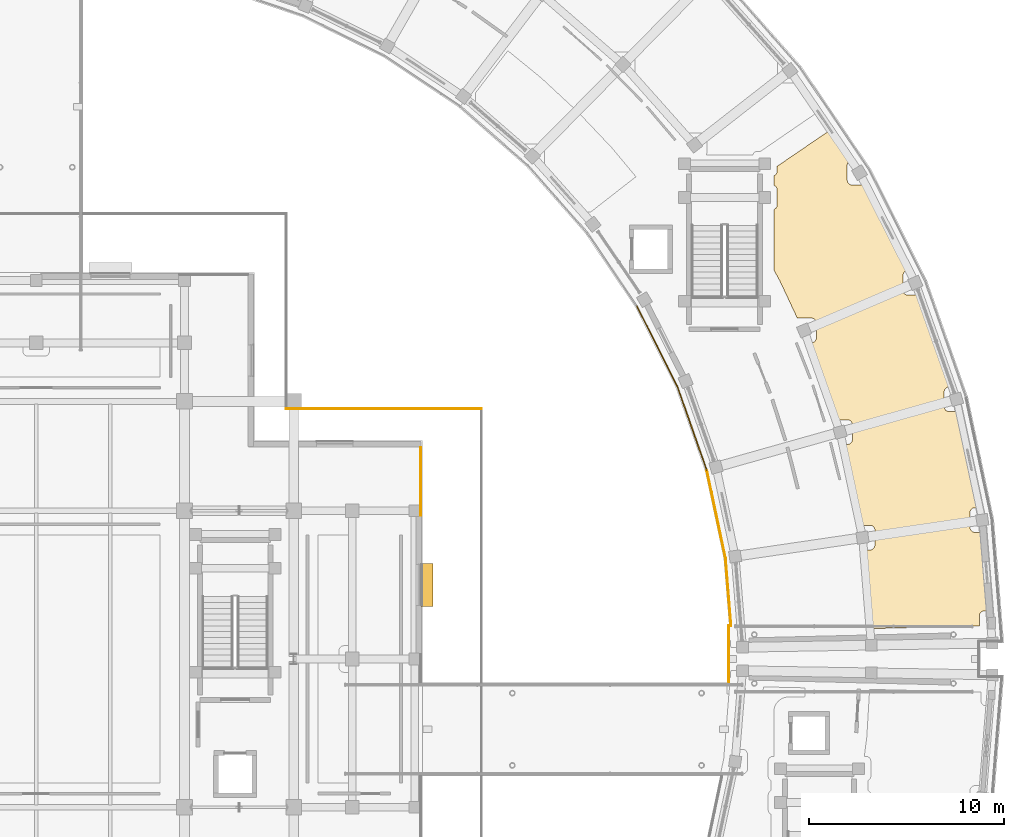
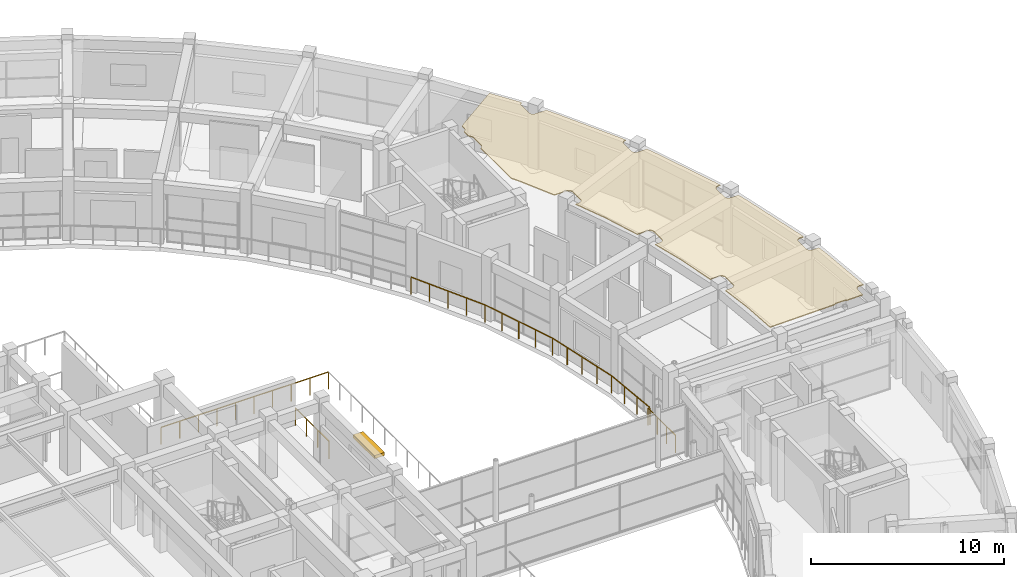
# One storey, part 66 of 72: 7 railings, 1 covering, 1 shading device.
"""IFC4 building model written with IfcOpenShell, lengths in metres."""

from ifc_helpers import new_model, si_unit, direction, frame, origin, origin_2d, place, context, subcontext, project, spatial, polyline, rectangle, outline, extrude, material, layer, layer_set, type_object, element, save


model = new_model("IFC4")

# Units and contexts
model_context = context("Model", 3, precision=1e-05, world=origin(), true_north=direction((0.0, 1.0)))
body_context = subcontext(model_context, "Body", "Model", "MODEL_VIEW")
ifc_project = project(units=[si_unit("LENGTHUNIT", "METRE"), si_unit("AREAUNIT", "SQUARE_METRE"), si_unit("VOLUMEUNIT", "CUBIC_METRE"), si_unit("PLANEANGLEUNIT", "RADIAN"), si_unit("MASSUNIT", "GRAM", prefix="KILO")], contexts=[model_context])

# Site, building, storey
site_placement = place(None, origin())
site = spatial("IfcSite", under=ifc_project, at=site_placement, CompositionType="ELEMENT")
building_placement = place(site_placement, origin())
building = spatial("IfcBuilding", under=site, at=building_placement, Name="Saryqyr Civic Hall", CompositionType="ELEMENT")
storey_placement = place(building_placement, frame((0.0, 0.0, 17.25)))
storey = spatial("IfcBuildingStorey", under=building, at=storey_placement, Name="L04", CompositionType="ELEMENT", Elevation=17.25)

# Railing
ifc_material_1 = material(Name="Stainless steel and laminated glass", Category="steel")
ifc_layer_1 = layer(ifc_material_1, 0.06005859375, Name="Stainless steel and laminated glass")
ifc_layer_set_1 = layer_set([ifc_layer_1], Name="Stainless steel and laminated glass")
railing_type_1 = type_object("IfcRailingType", Name="ENV-RLG-BAL-1100", PredefinedType="BALUSTRADE", material=ifc_layer_set_1)
railing_1_placement = place(storey_placement, frame((79.820068359375, 96.820068359375, 0.0)))
element("IfcRailing", 1, at=railing_1_placement, inside=storey, type_object=railing_type_1, Name="Perimeter safety balustrade V1-STEPG-L04-G05", PredefinedType="BALUSTRADE", context=body_context, shape_type="SweptSolid", body=[
    extrude(rectangle(XDim=0.048095703125, YDim=0.048095703125, at=origin_2d()), frame((0.0, 0.0, 1.076171875), z_axis=(-1.0, 0.0, 0.0), x_axis=(0.0, -1.0, 0.0)), (0.0, 0.0, 1.0), 10.0),
    extrude(rectangle(XDim=0.0419921875, YDim=0.0419921875, at=origin_2d()), origin(), (0.0, 0.0, 1.0), 1.052001953125),
    extrude(rectangle(XDim=0.0419921875, YDim=0.0419921875, at=origin_2d()), frame((-1.111083984375, 0.0, 0.0)), (0.0, 0.0, 1.0), 1.052001953125),
    extrude(rectangle(XDim=0.0419921875, YDim=0.0419921875, at=origin_2d()), frame((-2.22216796875, 0.0, 0.0)), (0.0, 0.0, 1.0), 1.052001953125),
    extrude(rectangle(XDim=0.0419921875, YDim=0.0419921875, at=origin_2d()), frame((-3.333251953125, 0.0, 0.0)), (0.0, 0.0, 1.0), 1.052001953125),
    extrude(rectangle(XDim=0.0419921875, YDim=0.0419921875, at=origin_2d()), frame((-4.4443359375, 0.0, 0.0)), (0.0, 0.0, 1.0), 1.052001953125),
    extrude(rectangle(XDim=0.0419921875, YDim=0.0419921875, at=origin_2d()), frame((-5.5556640625, 0.0, 0.0)), (0.0, 0.0, 1.0), 1.052001953125),
    extrude(rectangle(XDim=0.0419921875, YDim=0.0419921875, at=origin_2d()), frame((-6.666748046875, 0.0, 0.0)), (0.0, 0.0, 1.0), 1.052001953125),
    extrude(rectangle(XDim=0.0419921875, YDim=0.0419921875, at=origin_2d()), frame((-7.77783203125, 0.0, 0.0)), (0.0, 0.0, 1.0), 1.052001953125),
    extrude(rectangle(XDim=0.0419921875, YDim=0.0419921875, at=origin_2d()), frame((-8.888916015625, 0.0, 0.0)), (0.0, 0.0, 1.0), 1.052001953125),
    extrude(rectangle(XDim=0.0419921875, YDim=0.0419921875, at=origin_2d()), frame((-10.0, 0.0, 0.0)), (0.0, 0.0, 1.0), 1.052001953125),
])

# Shading device
ifc_material_2 = material(Name="Warm brushed brass-anodised aluminium", Category="aluminium")
shading_device_type = type_object("IfcShadingDeviceType", Name="ENV-SHD-LOUVRE", PredefinedType="JALOUSIE", material=ifc_material_2)
shading_device_placement = place(storey_placement, frame((77.02490234375, 87.800048828125, 2.80517578125), z_axis=(0.0, 0.0, 1.0), x_axis=(0.0, -1.0, 0.0)))
element("IfcShadingDevice", 2, at=shading_device_placement, inside=storey, type_object=shading_device_type, Name="Warm brass exterior louvre hood L04-08", PredefinedType="JALOUSIE", context=body_context, shape_type="SweptSolid", body=[
    extrude(rectangle(XDim=2.199951171875, YDim=0.60009765625, at=origin_2d()), origin(), (0.0, 0.0, 1.0), 0.199951171875),
])

# Covering
ifc_material_3 = material(Name="Mineral-fibre acoustic ceiling tile", Category="acoustic_tile")
ifc_layer_2 = layer(ifc_material_3, 0.06005859375, Name="Mineral-fibre acoustic ceiling tile")
ifc_layer_set_2 = layer_set([ifc_layer_2], Name="Mineral-fibre acoustic ceiling tile")
covering_type = type_object("IfcCoveringType", Name="INT-COV-CEIL-60", PredefinedType="CEILING", material=ifc_layer_set_2)
covering_placement = place(storey_placement, frame((0.0, 0.0, 3.72998046875)))
element("IfcCovering", 3, at=covering_placement, inside=storey, type_object=covering_type, Name="Acoustic ceiling Deputy Mayors' Executive Offices", PredefinedType="CEILING", context=body_context, shape_type="SweptSolid", body=[
    extrude(outline(polyline([(98.691650390625, 109.521484375), (98.67041015625, 109.5087890625), (98.65087890625, 109.494140625), (98.632568359375, 109.477783203125), (98.6162109375, 109.45947265625), (98.6015625, 109.439697265625), (98.5888671875, 109.418701171875), (98.578369140625, 109.396484375), (98.5703125, 109.37353515625), (98.564208984375, 109.349609375), (98.560546875, 109.325439453125), (98.559326171875, 109.30078125), (98.559326171875, 108.541015625), (98.560546875, 108.516357421875), (98.564208984375, 108.4921875), (98.5703125, 108.46826171875), (98.578369140625, 108.4453125), (98.5888671875, 108.423095703125), (98.6015625, 108.402099609375), (98.6162109375, 108.38232421875), (98.632568359375, 108.364013671875), (98.65087890625, 108.34765625), (98.67041015625, 108.3330078125), (98.691650390625, 108.3203125), (98.713623046875, 108.309814453125), (98.73681640625, 108.3017578125), (98.760498046875, 108.295654296875), (98.784912109375, 108.2919921875), (98.809326171875, 108.291015625), (99.453369140625, 108.291015625), (99.78857421875, 107.681640625), (101.55859375, 104.16650390625), (101.680908203125, 103.905517578125), (101.66943359375, 103.905517578125), (101.64501953125, 103.904296875), (101.62060546875, 103.90087890625), (101.5966796875, 103.894775390625), (101.57373046875, 103.88671875), (101.551513671875, 103.876220703125), (101.530517578125, 103.863525390625), (101.5107421875, 103.848876953125), (101.49267578125, 103.83251953125), (101.47607421875, 103.814208984375), (101.46142578125, 103.79443359375), (101.448974609375, 103.7734375), (101.4384765625, 103.751220703125), (101.43017578125, 103.728271484375), (101.42431640625, 103.704345703125), (101.420654296875, 103.68017578125), (101.41943359375, 103.655517578125), (101.41943359375, 102.8955078125), (101.420654296875, 102.87109375), (101.42431640625, 102.8466796875), (101.43017578125, 102.822998046875), (101.4384765625, 102.7998046875), (101.448974609375, 102.77783203125), (101.46142578125, 102.756591796875), (101.47607421875, 102.737060546875), (101.49267578125, 102.71875), (101.5107421875, 102.702392578125), (101.530517578125, 102.687744140625), (101.551513671875, 102.675048828125), (101.57373046875, 102.66455078125), (101.5966796875, 102.656494140625), (101.62060546875, 102.650390625), (101.64501953125, 102.646728515625), (101.66943359375, 102.6455078125), (102.217529296875, 102.6455078125), (102.471435546875, 102.0009765625), (103.781494140625, 98.272216796875), (103.888916015625, 97.938720703125), (103.778076171875, 97.938720703125), (103.75341796875, 97.9375), (103.729248046875, 97.93408203125), (103.705322265625, 97.927978515625), (103.682373046875, 97.919921875), (103.66015625, 97.9091796875), (103.63916015625, 97.896728515625), (103.619384765625, 97.882080078125), (103.601318359375, 97.865478515625), (103.584716796875, 97.847412109375), (103.570068359375, 97.82763671875), (103.5576171875, 97.806640625), (103.547119140625, 97.784423828125), (103.538818359375, 97.761474609375), (103.53271484375, 97.737548828125), (103.529296875, 97.71337890625), (103.528076171875, 97.688720703125), (103.528076171875, 96.9287109375), (103.529296875, 96.904296875), (103.53271484375, 96.8798828125), (103.538818359375, 96.856201171875), (103.547119140625, 96.8330078125), (103.5576171875, 96.81103515625), (103.570068359375, 96.789794921875), (103.584716796875, 96.770263671875), (103.601318359375, 96.751953125), (103.619384765625, 96.735595703125), (103.63916015625, 96.720947265625), (103.66015625, 96.708251953125), (103.682373046875, 96.69775390625), (103.705322265625, 96.689697265625), (103.729248046875, 96.68359375), (103.75341796875, 96.679931640625), (103.778076171875, 96.6787109375), (104.23828125, 96.6787109375), (104.40380859375, 96.022705078125), (105.29248046875, 91.75), (105.10009765625, 91.75), (105.075439453125, 91.748779296875), (105.05126953125, 91.7451171875), (105.02734375, 91.7392578125), (105.00439453125, 91.73095703125), (104.982177734375, 91.720458984375), (104.961181640625, 91.7080078125), (104.94140625, 91.693359375), (104.923095703125, 91.6767578125), (104.90673828125, 91.65869140625), (104.89208984375, 91.638916015625), (104.87939453125, 91.617919921875), (104.868896484375, 91.595703125), (104.86083984375, 91.572509765625), (104.854736328125, 91.548828125), (104.851318359375, 91.5244140625), (104.85009765625, 91.5), (104.85009765625, 90.739990234375), (104.851318359375, 90.715576171875), (104.854736328125, 90.691162109375), (104.86083984375, 90.66748046875), (104.868896484375, 90.644287109375), (104.87939453125, 90.622314453125), (104.89208984375, 90.60107421875), (104.90673828125, 90.581298828125), (104.923095703125, 90.563232421875), (104.94140625, 90.546630859375), (104.961181640625, 90.531982421875), (104.982177734375, 90.51953125), (105.00439453125, 90.509033203125), (105.02734375, 90.500732421875), (105.05126953125, 90.494873046875), (105.075439453125, 90.4912109375), (105.10009765625, 90.489990234375), (105.476806640625, 90.489990234375), (105.55419921875, 89.845947265625), (105.814208984375, 86.46826171875), (105.58544921875, 86.46826171875), (105.56103515625, 86.467041015625), (105.53662109375, 86.46337890625), (105.512939453125, 86.45751953125), (105.48974609375, 86.44921875), (105.4677734375, 86.438720703125), (105.446533203125, 86.42626953125), (105.427001953125, 86.41162109375), (105.40869140625, 86.39501953125), (105.39208984375, 86.376953125), (105.377685546875, 86.357177734375), (105.364990234375, 86.336181640625), (105.3544921875, 86.31396484375), (105.34619140625, 86.291015625), (105.34033203125, 86.26708984375), (105.336669921875, 86.242919921875), (105.33544921875, 86.21826171875), (105.33544921875, 85.689208984375), (104.3662109375, 85.66650390625), (104.35546875, 85.67431640625), (104.334228515625, 85.68701171875), (104.312255859375, 85.697509765625), (104.2890625, 85.705810546875), (104.265380859375, 85.711669921875), (104.240966796875, 85.71533203125), (104.216552734375, 85.716552734375), (103.783447265625, 85.716552734375), (103.759033203125, 85.71533203125), (103.734619140625, 85.711669921875), (103.7109375, 85.705810546875), (103.687744140625, 85.697509765625), (103.665771484375, 85.68701171875), (103.64453125, 85.67431640625), (103.625, 85.659912109375), (103.612548828125, 85.648681640625), (99.7080078125, 85.556640625), (99.587890625, 87.717529296875), (99.584716796875, 87.752685546875), (99.3642578125, 89.589111328125), (99.725830078125, 89.589111328125), (99.750244140625, 89.59033203125), (99.774658203125, 89.593994140625), (99.79833984375, 89.599853515625), (99.821533203125, 89.608154296875), (99.843505859375, 89.61865234375), (99.86474609375, 89.631103515625), (99.884521484375, 89.645751953125), (99.902587890625, 89.662353515625), (99.919189453125, 89.680419921875), (99.93359375, 89.7001953125), (99.9462890625, 89.72119140625), (99.956787109375, 89.743408203125), (99.965087890625, 89.7666015625), (99.970947265625, 89.790283203125), (99.974609375, 89.814697265625), (99.975830078125, 89.839111328125), (99.975830078125, 90.59912109375), (99.974609375, 90.62353515625), (99.970947265625, 90.64794921875), (99.965087890625, 90.671630859375), (99.956787109375, 90.69482421875), (99.9462890625, 90.716796875), (99.93359375, 90.738037109375), (99.919189453125, 90.7578125), (99.902587890625, 90.77587890625), (99.884521484375, 90.79248046875), (99.86474609375, 90.806884765625), (99.843505859375, 90.819580078125), (99.821533203125, 90.830078125), (99.79833984375, 90.83837890625), (99.774658203125, 90.84423828125), (99.750244140625, 90.847900390625), (99.725830078125, 90.84912109375), (99.186767578125, 90.84912109375), (98.76611328125, 93.1171875), (98.7587890625, 93.151611328125), (98.293212890625, 94.994873046875), (98.571044921875, 94.994873046875), (98.595703125, 94.99609375), (98.619873046875, 94.99951171875), (98.643798828125, 95.005615234375), (98.666748046875, 95.013916015625), (98.68896484375, 95.0244140625), (98.7099609375, 95.036865234375), (98.729736328125, 95.051513671875), (98.747802734375, 95.068115234375), (98.764404296875, 95.086181640625), (98.779052734375, 95.10595703125), (98.79150390625, 95.126953125), (98.802001953125, 95.149169921875), (98.810302734375, 95.172119140625), (98.81640625, 95.196044921875), (98.81982421875, 95.22021484375), (98.821044921875, 95.244873046875), (98.821044921875, 96.0048828125), (98.81982421875, 96.029296875), (98.81640625, 96.0537109375), (98.810302734375, 96.077392578125), (98.802001953125, 96.1005859375), (98.79150390625, 96.12255859375), (98.779052734375, 96.143798828125), (98.764404296875, 96.163330078125), (98.747802734375, 96.181640625), (98.729736328125, 96.197998046875), (98.7099609375, 96.212646484375), (98.68896484375, 96.225341796875), (98.666748046875, 96.23583984375), (98.643798828125, 96.243896484375), (98.619873046875, 96.25), (98.595703125, 96.253662109375), (98.571044921875, 96.2548828125), (97.942626953125, 96.2548828125), (97.262939453125, 98.367919921875), (97.251220703125, 98.40087890625), (96.5400390625, 100.206787109375), (96.729248046875, 100.206787109375), (96.75390625, 100.2080078125), (96.778076171875, 100.21142578125), (96.802001953125, 100.217529296875), (96.824951171875, 100.2255859375), (96.84716796875, 100.236083984375), (96.8681640625, 100.248779296875), (96.887939453125, 100.263427734375), (96.906005859375, 100.27978515625), (96.922607421875, 100.298095703125), (96.937255859375, 100.31787109375), (96.94970703125, 100.3388671875), (96.960205078125, 100.361083984375), (96.968505859375, 100.384033203125), (96.974609375, 100.407958984375), (96.97802734375, 100.43212890625), (96.979248046875, 100.456787109375), (96.979248046875, 101.216796875), (96.97802734375, 101.2412109375), (96.974609375, 101.265380859375), (96.968505859375, 101.289306640625), (96.960205078125, 101.3125), (96.94970703125, 101.33447265625), (96.937255859375, 101.355712890625), (96.922607421875, 101.375244140625), (96.906005859375, 101.3935546875), (96.887939453125, 101.409912109375), (96.8681640625, 101.424560546875), (96.84716796875, 101.437255859375), (96.824951171875, 101.44775390625), (96.802001953125, 101.455810546875), (96.778076171875, 101.4619140625), (96.75390625, 101.465576171875), (96.729248046875, 101.466796875), (96.0029296875, 101.466796875), (95.1025390625, 103.384033203125), (95.086669921875, 103.415283203125), (94.820068359375, 103.89990234375), (94.820068359375, 107.041015625), (94.837890625, 107.049560546875), (94.85888671875, 107.06201171875), (94.878662109375, 107.07666015625), (94.896728515625, 107.09326171875), (94.913330078125, 107.111328125), (94.927978515625, 107.131103515625), (94.9404296875, 107.152099609375), (94.950927734375, 107.17431640625), (94.959228515625, 107.197509765625), (94.965087890625, 107.22119140625), (94.96875, 107.24560546875), (94.969970703125, 107.27001953125), (94.969970703125, 108.030029296875), (94.96875, 108.054443359375), (94.965087890625, 108.078857421875), (94.959228515625, 108.1025390625), (94.950927734375, 108.125732421875), (94.9404296875, 108.147705078125), (94.927978515625, 108.1689453125), (94.913330078125, 108.188720703125), (94.896728515625, 108.206787109375), (94.878662109375, 108.223388671875), (94.85888671875, 108.23779296875), (94.837890625, 108.25048828125), (94.820068359375, 108.2587890625), (94.820068359375, 108.77099609375), (94.837890625, 108.779541015625), (94.85888671875, 108.7919921875), (94.878662109375, 108.806640625), (94.896728515625, 108.8232421875), (94.913330078125, 108.84130859375), (94.927978515625, 108.861083984375), (94.9404296875, 108.882080078125), (94.950927734375, 108.904296875), (94.959228515625, 108.927490234375), (94.965087890625, 108.951171875), (94.96875, 108.9755859375), (94.969970703125, 109.0), (94.969970703125, 109.24755859375), (97.668212890625, 111.089111328125), (98.70556640625, 109.528076171875), (98.691650390625, 109.521484375)])), origin(), (0.0, 0.0, 1.0), 0.06005859375),
])

# Railings
ifc_material_4 = material(Name="Warm brushed brass and laminated glass", Category="glass")
ifc_layer_3 = layer(ifc_material_4, 0.06005859375, Name="Warm brushed brass and laminated glass")
ifc_layer_set_3 = layer_set([ifc_layer_3], Name="Warm brushed brass and laminated glass")
railing_type_2 = type_object("IfcRailingType", Name="INT-RLG-BAL-1100", PredefinedType="BALUSTRADE", material=ifc_layer_set_3)
railing_2_placement = place(storey_placement, frame((76.699951171875, 94.8349609375, 0.0)))
element("IfcRailing", 4, at=railing_2_placement, inside=storey, type_object=railing_type_2, Name="Interior deck safety balustrade L04-032", PredefinedType="BALUSTRADE", context=body_context, shape_type="SweptSolid", body=[
    extrude(rectangle(XDim=0.048095703125, YDim=0.048095703125, at=origin_2d()), frame((0.0, 0.0, 1.09619140625), z_axis=(0.0, -1.0, 0.0), x_axis=(1.0, 0.0, 0.0)), (0.0, 0.0, 1.0), 3.469970703125),
    extrude(rectangle(XDim=0.0419921875, YDim=0.0419921875, at=origin_2d()), origin(), (0.0, 0.0, 1.0), 1.072021484375),
    extrude(rectangle(XDim=0.0419921875, YDim=0.0419921875, at=origin_2d()), frame((0.0, -1.15673828125, 0.0)), (0.0, 0.0, 1.0), 1.072021484375),
    extrude(rectangle(XDim=0.0419921875, YDim=0.0419921875, at=origin_2d()), frame((0.0, -2.313232421875, 0.0)), (0.0, 0.0, 1.0), 1.072021484375),
    extrude(rectangle(XDim=0.0419921875, YDim=0.0419921875, at=origin_2d()), frame((0.0, -3.469970703125, 0.0)), (0.0, 0.0, 1.0), 1.072021484375),
])
railing_3_placement = place(storey_placement, frame((92.5, 82.840087890625, 0.0)))
element("IfcRailing", 5, at=railing_3_placement, inside=storey, type_object=railing_type_2, Name="Interior deck safety balustrade L04-034", PredefinedType="BALUSTRADE", context=body_context, shape_type="SweptSolid", body=[
    extrude(rectangle(XDim=0.048095703125, YDim=0.048095703125, at=origin_2d()), frame((0.0, 0.0, 1.09619140625), z_axis=(0.0, 1.0, 0.0), x_axis=(-1.0, 0.0, 0.0)), (0.0, 0.0, 1.0), 2.85986328125),
    extrude(rectangle(XDim=0.0419921875, YDim=0.0419921875, at=origin_2d()), origin(), (0.0, 0.0, 1.0), 1.072021484375),
    extrude(rectangle(XDim=0.0419921875, YDim=0.0419921875, at=origin_2d()), frame((0.0, 0.953369140625, 0.0)), (0.0, 0.0, 1.0), 1.072021484375),
    extrude(rectangle(XDim=0.0419921875, YDim=0.0419921875, at=origin_2d()), frame((0.0, 1.906494140625, 0.0)), (0.0, 0.0, 1.0), 1.072021484375),
    extrude(rectangle(XDim=0.0419921875, YDim=0.0419921875, at=origin_2d()), frame((0.0, 2.85986328125, 0.0)), (0.0, 0.0, 1.0), 1.072021484375),
])
railing_4_placement = place(storey_placement, frame((92.60546875, 85.699951171875, 0.0)))
element("IfcRailing", 6, at=railing_4_placement, inside=storey, type_object=railing_type_2, Name="Interior deck safety balustrade L04-035", PredefinedType="BALUSTRADE", context=body_context, shape_type="SweptSolid", body=[
    extrude(rectangle(XDim=0.048095703125, YDim=0.048095703125, at=origin_2d()), frame((0.0, 0.0, 1.09619140625), z_axis=(-0.080753594391, 0.99673409543, 0.0), x_axis=(-0.99673409543, -0.080753594391, 0.0)), (0.0, 0.0, 1.0), 3.4736328125),
    extrude(rectangle(XDim=0.0419921875, YDim=0.0419921875, at=origin_2d()), origin(), (0.0, 0.0, 1.0), 1.072021484375),
    extrude(rectangle(XDim=0.0419921875, YDim=0.0419921875, at=origin_2d()), frame((-0.093505859375, 1.154052734375, 0.0)), (0.0, 0.0, 1.0), 1.072021484375),
    extrude(rectangle(XDim=0.0419921875, YDim=0.0419921875, at=origin_2d()), frame((-0.18701171875, 2.308349609375, 0.0)), (0.0, 0.0, 1.0), 1.072021484375),
    extrude(rectangle(XDim=0.0419921875, YDim=0.0419921875, at=origin_2d()), frame((-0.280517578125, 3.46240234375, 0.0)), (0.0, 0.0, 1.0), 1.072021484375),
])
railing_5_placement = place(storey_placement, frame((92.324951171875, 89.162353515625, 0.0)))
element("IfcRailing", 7, at=railing_5_placement, inside=storey, type_object=railing_type_2, Name="Interior deck safety balustrade L04-036", PredefinedType="BALUSTRADE", context=body_context, shape_type="SweptSolid", body=[
    extrude(rectangle(XDim=0.048095703125, YDim=0.048095703125, at=origin_2d()), frame((0.0, 0.0, 1.09619140625), z_axis=(-0.207856208743, 0.978159392168, 0.0), x_axis=(-0.978159392168, -0.207856208743, 0.0)), (0.0, 0.0, 1.0), 4.58544921875),
    extrude(rectangle(XDim=0.0419921875, YDim=0.0419921875, at=origin_2d()), origin(), (0.0, 0.0, 1.0), 1.072021484375),
    extrude(rectangle(XDim=0.0419921875, YDim=0.0419921875, at=origin_2d()), frame((-0.23828125, 1.121337890625, 0.0)), (0.0, 0.0, 1.0), 1.072021484375),
    extrude(rectangle(XDim=0.0419921875, YDim=0.0419921875, at=origin_2d()), frame((-0.4765625, 2.24267578125, 0.0)), (0.0, 0.0, 1.0), 1.072021484375),
    extrude(rectangle(XDim=0.0419921875, YDim=0.0419921875, at=origin_2d()), frame((-0.71484375, 3.364013671875, 0.0)), (0.0, 0.0, 1.0), 1.072021484375),
    extrude(rectangle(XDim=0.0419921875, YDim=0.0419921875, at=origin_2d()), frame((-0.953125, 4.4853515625, 0.0)), (0.0, 0.0, 1.0), 1.072021484375),
])
railing_6_placement = place(storey_placement, frame((91.371826171875, 93.647705078125, 0.0)))
element("IfcRailing", 8, at=railing_6_placement, inside=storey, type_object=railing_type_2, Name="Interior deck safety balustrade L04-037", PredefinedType="BALUSTRADE", context=body_context, shape_type="SweptSolid", body=[
    extrude(rectangle(XDim=0.048095703125, YDim=0.048095703125, at=origin_2d()), frame((0.0, 0.0, 1.09619140625), z_axis=(-0.331505208948, 0.943453388589, 0.0), x_axis=(-0.943453388589, -0.331505208948, 0.0)), (0.0, 0.0, 1.0), 4.585205078125),
    extrude(rectangle(XDim=0.0419921875, YDim=0.0419921875, at=origin_2d()), origin(), (0.0, 0.0, 1.0), 1.072021484375),
    extrude(rectangle(XDim=0.0419921875, YDim=0.0419921875, at=origin_2d()), frame((-0.3798828125, 1.08154296875, 0.0)), (0.0, 0.0, 1.0), 1.072021484375),
    extrude(rectangle(XDim=0.0419921875, YDim=0.0419921875, at=origin_2d()), frame((-0.760009765625, 2.1630859375, 0.0)), (0.0, 0.0, 1.0), 1.072021484375),
    extrude(rectangle(XDim=0.0419921875, YDim=0.0419921875, at=origin_2d()), frame((-1.14013671875, 3.244384765625, 0.0)), (0.0, 0.0, 1.0), 1.072021484375),
    extrude(rectangle(XDim=0.0419921875, YDim=0.0419921875, at=origin_2d()), frame((-1.52001953125, 4.325927734375, 0.0)), (0.0, 0.0, 1.0), 1.072021484375),
])
railing_7_placement = place(storey_placement, frame((89.851806640625, 97.9736328125, 0.0)))
element("IfcRailing", 9, at=railing_7_placement, inside=storey, type_object=railing_type_2, Name="Interior deck safety balustrade L04-038", PredefinedType="BALUSTRADE", context=body_context, shape_type="SweptSolid", body=[
    extrude(rectangle(XDim=0.048095703125, YDim=0.048095703125, at=origin_2d()), frame((0.0, 0.0, 1.09619140625), z_axis=(-0.449724794806, 0.893167178605, 0.0), x_axis=(-0.893167178605, -0.449724794806, 0.0)), (0.0, 0.0, 1.0), 4.585693359375),
    extrude(rectangle(XDim=0.0419921875, YDim=0.0419921875, at=origin_2d()), origin(), (0.0, 0.0, 1.0), 1.072021484375),
    extrude(rectangle(XDim=0.0419921875, YDim=0.0419921875, at=origin_2d()), frame((-0.515625, 1.02392578125, 0.0)), (0.0, 0.0, 1.0), 1.072021484375),
    extrude(rectangle(XDim=0.0419921875, YDim=0.0419921875, at=origin_2d()), frame((-1.03125, 2.0478515625, 0.0)), (0.0, 0.0, 1.0), 1.072021484375),
    extrude(rectangle(XDim=0.0419921875, YDim=0.0419921875, at=origin_2d()), frame((-1.546630859375, 3.07177734375, 0.0)), (0.0, 0.0, 1.0), 1.072021484375),
    extrude(rectangle(XDim=0.0419921875, YDim=0.0419921875, at=origin_2d()), frame((-2.062255859375, 4.095703125, 0.0)), (0.0, 0.0, 1.0), 1.072021484375),
])

save(model, "model.ifc")
